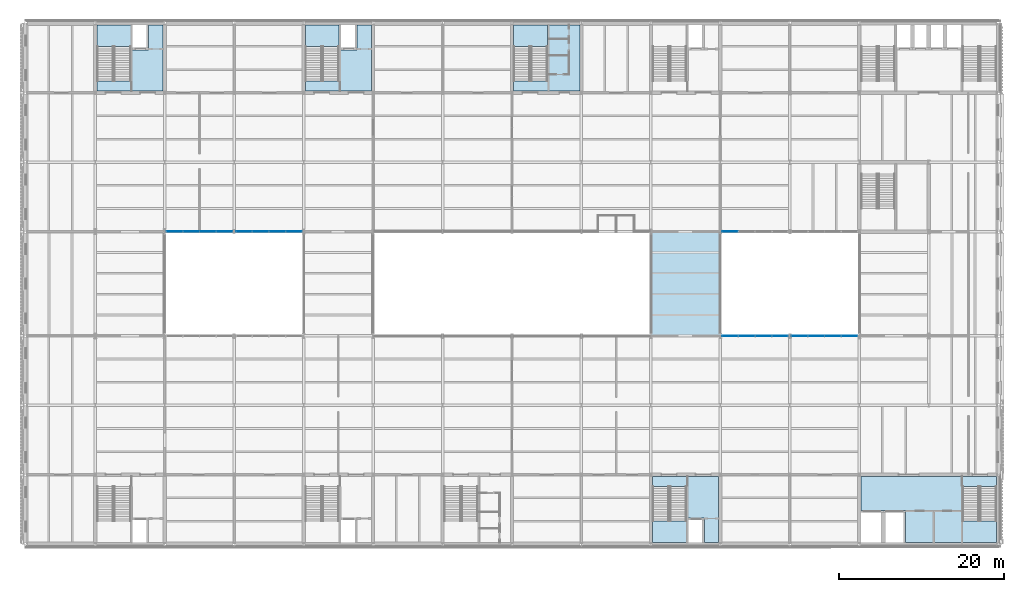
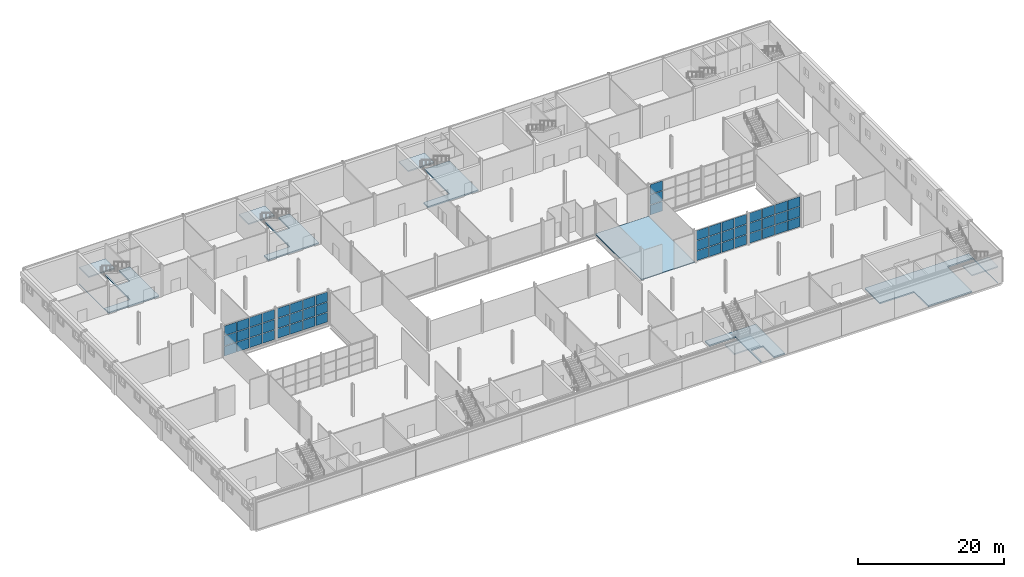
# One storey, part 26 of 57: 51 plates, 11 slabs, 10 elements without a shape of their own.
"""IFC4 building model written with IfcOpenShell, lengths in metres."""

from ifc_helpers import new_model, si_unit, direction, frame, origin, origin_2d, place, context, subcontext, project, spatial, polyline, rectangle, outline, extrude, material, layer, layer_set, type_object, element, aggregate, save


model = new_model("IFC4")

# Units and contexts
model_context = context("Model", 3, precision=1e-05, world=origin(), true_north=direction((0.0, 1.0)))
body_context = subcontext(model_context, "Body", "Model", "MODEL_VIEW")
ifc_project = project(units=[si_unit("LENGTHUNIT", "METRE"), si_unit("AREAUNIT", "SQUARE_METRE"), si_unit("VOLUMEUNIT", "CUBIC_METRE"), si_unit("PLANEANGLEUNIT", "RADIAN"), si_unit("MASSUNIT", "GRAM", prefix="KILO")], contexts=[model_context])

# Site, building, storey
site_placement = place(None, origin())
site = spatial("IfcSite", under=ifc_project, at=site_placement, CompositionType="ELEMENT")
building_placement = place(site_placement, origin())
building = spatial("IfcBuilding", under=site, at=building_placement, Name="Galleria Vessillo Department Store", CompositionType="ELEMENT")
storey_placement = place(building_placement, frame((0.0, 0.0, 25.800048828125)))
storey = spatial("IfcBuildingStorey", under=building, at=storey_placement, Name="L05", CompositionType="ELEMENT", Elevation=25.800048828125)

# Slab
ifc_material_1 = material(Name="Concrete C32/40 composite on steel deck", Category="concrete")
ifc_layer_1 = layer(ifc_material_1, 0.14990234375)
ifc_layer_set_1 = layer_set([ifc_layer_1], Name="Concrete C32/40 composite on steel deck")
slab_type_1 = type_object("IfcSlabType", Name="Composite bridge slab 150 mm", PredefinedType="FLOOR", material=ifc_layer_set_1)
slab_1_placement = place(storey_placement, frame((0.0, 0.0, -0.14990234375)))
element("IfcSlab", 1, at=slab_1_placement, inside=storey, type_object=slab_type_1, Name="S-SLAB-L05-BRIDGE-E", PredefinedType="FLOOR", context=body_context, shape_type="SweptSolid", body=[
    extrude(outline(polyline([(84.0, 25.199951171875), (84.0, 37.800048828125), (75.60009765625, 37.800048828125), (75.60009765625, 25.199951171875), (84.0, 25.199951171875)])), origin(), (0.0, 0.0, 1.0), 0.14990234375),
])

# Curtain wall, plates
ifc_material_2 = material(Name="Steel and fire-resisting glass curtain wall", Category="steel")
ifc_layer_2 = layer(ifc_material_2, 0.199951171875)
ifc_layer_set_2 = layer_set([ifc_layer_2], Name="Steel and fire-resisting glass curtain wall")
curtain_wall_type = type_object("IfcCurtainWallType", Name="Arcade fire-resisting glazed shopfront EI 120-Sa", PredefinedType="NOTDEFINED", material=ifc_layer_set_2)
curtain_wall_1_placement = place(storey_placement, origin())
curtain_wall_1 = element("IfcCurtainWall", 2, at=curtain_wall_1_placement, inside=storey, type_object=curtain_wall_type, Name="Arcade fire-resisting glazed shopfront EI 120-Sa AI-AE-S-L05-01", PredefinedType="NOTDEFINED")
ifc_material_3 = material(Name="Fire-resisting laminated glass EI 120", Category="glass")
ifc_layer_3 = layer(ifc_material_3, 0.052001953125)
ifc_layer_set_3 = layer_set([ifc_layer_3], Name="Fire-resisting laminated glass EI 120")
plate_type = type_object("IfcPlateType", Name="Fire-resisting glass panel 52 mm EI 120", PredefinedType="CURTAIN_PANEL", material=ifc_layer_set_3)
plate_1_placement = place(storey_placement, frame((85.189453125, 25.199951171875, 0.10009765625), z_axis=(0.0, 0.0, 1.0), x_axis=(1.0, 0.0, 0.0)))
plate_1 = element("IfcPlate", 3, at=plate_1_placement, type_object=plate_type, Name="CW7 panel 1.1", PredefinedType="CURTAIN_PANEL", context=body_context, shape_type="SweptSolid", body=[
    extrude(rectangle(XDim=1.87353515625, YDim=0.052001953125, at=origin_2d()), origin(), (0.0, 0.0, 1.0), 1.583251953125),
])
plate_2_placement = place(storey_placement, frame((85.189453125, 25.199951171875, 1.783447265625), z_axis=(0.0, 0.0, 1.0), x_axis=(1.0, 0.0, 0.0)))
plate_2 = element("IfcPlate", 4, at=plate_2_placement, type_object=plate_type, Name="CW7 panel 1.2", PredefinedType="CURTAIN_PANEL", context=body_context, shape_type="SweptSolid", body=[
    extrude(rectangle(XDim=1.87353515625, YDim=0.052001953125, at=origin_2d()), origin(), (0.0, 0.0, 1.0), 1.63330078125),
])
plate_3_placement = place(storey_placement, frame((85.189453125, 25.199951171875, 3.5166015625), z_axis=(0.0, 0.0, 1.0), x_axis=(1.0, 0.0, 0.0)))
plate_3 = element("IfcPlate", 5, at=plate_3_placement, type_object=plate_type, Name="CW7 panel 1.3", PredefinedType="CURTAIN_PANEL", context=body_context, shape_type="SweptSolid", body=[
    extrude(rectangle(XDim=1.87353515625, YDim=0.052001953125, at=origin_2d()), origin(), (0.0, 0.0, 1.0), 1.583251953125),
])
plate_4_placement = place(storey_placement, frame((87.18798828125, 25.199951171875, 0.10009765625), z_axis=(0.0, 0.0, 1.0), x_axis=(1.0, 0.0, 0.0)))
plate_4 = element("IfcPlate", 6, at=plate_4_placement, type_object=plate_type, Name="CW7 panel 2.1", PredefinedType="CURTAIN_PANEL", context=body_context, shape_type="SweptSolid", body=[
    extrude(rectangle(XDim=1.923583984375, YDim=0.052001953125, at=origin_2d()), origin(), (0.0, 0.0, 1.0), 1.583251953125),
])
plate_5_placement = place(storey_placement, frame((87.18798828125, 25.199951171875, 1.783447265625), z_axis=(0.0, 0.0, 1.0), x_axis=(1.0, 0.0, 0.0)))
plate_5 = element("IfcPlate", 7, at=plate_5_placement, type_object=plate_type, Name="CW7 panel 2.2", PredefinedType="CURTAIN_PANEL", context=body_context, shape_type="SweptSolid", body=[
    extrude(rectangle(XDim=1.923583984375, YDim=0.052001953125, at=origin_2d()), origin(), (0.0, 0.0, 1.0), 1.63330078125),
])
plate_6_placement = place(storey_placement, frame((87.18798828125, 25.199951171875, 3.5166015625), z_axis=(0.0, 0.0, 1.0), x_axis=(1.0, 0.0, 0.0)))
plate_6 = element("IfcPlate", 8, at=plate_6_placement, type_object=plate_type, Name="CW7 panel 2.3", PredefinedType="CURTAIN_PANEL", context=body_context, shape_type="SweptSolid", body=[
    extrude(rectangle(XDim=1.923583984375, YDim=0.052001953125, at=origin_2d()), origin(), (0.0, 0.0, 1.0), 1.583251953125),
])
plate_7_placement = place(storey_placement, frame((89.21142578125, 25.199951171875, 0.10009765625), z_axis=(0.0, 0.0, 1.0), x_axis=(1.0, 0.0, 0.0)))
plate_7 = element("IfcPlate", 9, at=plate_7_placement, type_object=plate_type, Name="CW7 panel 3.1", PredefinedType="CURTAIN_PANEL", context=body_context, shape_type="SweptSolid", body=[
    extrude(rectangle(XDim=1.923583984375, YDim=0.052001953125, at=origin_2d()), origin(), (0.0, 0.0, 1.0), 1.583251953125),
])
plate_8_placement = place(storey_placement, frame((89.21142578125, 25.199951171875, 1.783447265625), z_axis=(0.0, 0.0, 1.0), x_axis=(1.0, 0.0, 0.0)))
plate_8 = element("IfcPlate", 10, at=plate_8_placement, type_object=plate_type, Name="CW7 panel 3.2", PredefinedType="CURTAIN_PANEL", context=body_context, shape_type="SweptSolid", body=[
    extrude(rectangle(XDim=1.923583984375, YDim=0.052001953125, at=origin_2d()), origin(), (0.0, 0.0, 1.0), 1.63330078125),
])
plate_9_placement = place(storey_placement, frame((89.21142578125, 25.199951171875, 3.5166015625), z_axis=(0.0, 0.0, 1.0), x_axis=(1.0, 0.0, 0.0)))
plate_9 = element("IfcPlate", 11, at=plate_9_placement, type_object=plate_type, Name="CW7 panel 3.3", PredefinedType="CURTAIN_PANEL", context=body_context, shape_type="SweptSolid", body=[
    extrude(rectangle(XDim=1.923583984375, YDim=0.052001953125, at=origin_2d()), origin(), (0.0, 0.0, 1.0), 1.583251953125),
])
plate_10_placement = place(storey_placement, frame((91.2099609375, 25.199951171875, 0.10009765625), z_axis=(0.0, 0.0, 1.0), x_axis=(1.0, 0.0, 0.0)))
plate_10 = element("IfcPlate", 12, at=plate_10_placement, type_object=plate_type, Name="CW7 panel 4.1", PredefinedType="CURTAIN_PANEL", context=body_context, shape_type="SweptSolid", body=[
    extrude(rectangle(XDim=1.87353515625, YDim=0.052001953125, at=origin_2d()), origin(), (0.0, 0.0, 1.0), 1.583251953125),
])
plate_11_placement = place(storey_placement, frame((91.2099609375, 25.199951171875, 1.783447265625), z_axis=(0.0, 0.0, 1.0), x_axis=(1.0, 0.0, 0.0)))
plate_11 = element("IfcPlate", 13, at=plate_11_placement, type_object=plate_type, Name="CW7 panel 4.2", PredefinedType="CURTAIN_PANEL", context=body_context, shape_type="SweptSolid", body=[
    extrude(rectangle(XDim=1.87353515625, YDim=0.052001953125, at=origin_2d()), origin(), (0.0, 0.0, 1.0), 1.63330078125),
])
plate_12_placement = place(storey_placement, frame((91.2099609375, 25.199951171875, 3.5166015625), z_axis=(0.0, 0.0, 1.0), x_axis=(1.0, 0.0, 0.0)))
plate_12 = element("IfcPlate", 14, at=plate_12_placement, type_object=plate_type, Name="CW7 panel 4.3", PredefinedType="CURTAIN_PANEL", context=body_context, shape_type="SweptSolid", body=[
    extrude(rectangle(XDim=1.87353515625, YDim=0.052001953125, at=origin_2d()), origin(), (0.0, 0.0, 1.0), 1.583251953125),
])
aggregate(curtain_wall_1, [plate_1, plate_2, plate_3, plate_4, plate_5, plate_6, plate_7, plate_8, plate_9, plate_10, plate_11, plate_12])

curtain_wall_2_placement = place(storey_placement, origin())
curtain_wall_2 = element("IfcCurtainWall", 15, at=curtain_wall_2_placement, inside=storey, type_object=curtain_wall_type, Name="Arcade fire-resisting glazed shopfront EI 120-Sa AI-AE-S-L05-02", PredefinedType="NOTDEFINED")
plate_13_placement = place(storey_placement, frame((93.58984375, 25.199951171875, 0.10009765625), z_axis=(0.0, 0.0, 1.0), x_axis=(1.0, 0.0, 0.0)))
plate_13 = element("IfcPlate", 16, at=plate_13_placement, type_object=plate_type, Name="CW7 panel 1.1", PredefinedType="CURTAIN_PANEL", context=body_context, shape_type="SweptSolid", body=[
    extrude(rectangle(XDim=1.87353515625, YDim=0.052001953125, at=origin_2d()), origin(), (0.0, 0.0, 1.0), 1.583251953125),
])
plate_14_placement = place(storey_placement, frame((93.58984375, 25.199951171875, 1.783447265625), z_axis=(0.0, 0.0, 1.0), x_axis=(1.0, 0.0, 0.0)))
plate_14 = element("IfcPlate", 17, at=plate_14_placement, type_object=plate_type, Name="CW7 panel 1.2", PredefinedType="CURTAIN_PANEL", context=body_context, shape_type="SweptSolid", body=[
    extrude(rectangle(XDim=1.87353515625, YDim=0.052001953125, at=origin_2d()), origin(), (0.0, 0.0, 1.0), 1.63330078125),
])
plate_15_placement = place(storey_placement, frame((93.58984375, 25.199951171875, 3.5166015625), z_axis=(0.0, 0.0, 1.0), x_axis=(1.0, 0.0, 0.0)))
plate_15 = element("IfcPlate", 18, at=plate_15_placement, type_object=plate_type, Name="CW7 panel 1.3", PredefinedType="CURTAIN_PANEL", context=body_context, shape_type="SweptSolid", body=[
    extrude(rectangle(XDim=1.87353515625, YDim=0.052001953125, at=origin_2d()), origin(), (0.0, 0.0, 1.0), 1.583251953125),
])
plate_16_placement = place(storey_placement, frame((95.58837890625, 25.199951171875, 0.10009765625), z_axis=(0.0, 0.0, 1.0), x_axis=(1.0, 0.0, 0.0)))
plate_16 = element("IfcPlate", 19, at=plate_16_placement, type_object=plate_type, Name="CW7 panel 2.1", PredefinedType="CURTAIN_PANEL", context=body_context, shape_type="SweptSolid", body=[
    extrude(rectangle(XDim=1.923583984375, YDim=0.052001953125, at=origin_2d()), origin(), (0.0, 0.0, 1.0), 1.583251953125),
])
plate_17_placement = place(storey_placement, frame((95.58837890625, 25.199951171875, 1.783447265625), z_axis=(0.0, 0.0, 1.0), x_axis=(1.0, 0.0, 0.0)))
plate_17 = element("IfcPlate", 20, at=plate_17_placement, type_object=plate_type, Name="CW7 panel 2.2", PredefinedType="CURTAIN_PANEL", context=body_context, shape_type="SweptSolid", body=[
    extrude(rectangle(XDim=1.923583984375, YDim=0.052001953125, at=origin_2d()), origin(), (0.0, 0.0, 1.0), 1.63330078125),
])
plate_18_placement = place(storey_placement, frame((95.58837890625, 25.199951171875, 3.5166015625), z_axis=(0.0, 0.0, 1.0), x_axis=(1.0, 0.0, 0.0)))
plate_18 = element("IfcPlate", 21, at=plate_18_placement, type_object=plate_type, Name="CW7 panel 2.3", PredefinedType="CURTAIN_PANEL", context=body_context, shape_type="SweptSolid", body=[
    extrude(rectangle(XDim=1.923583984375, YDim=0.052001953125, at=origin_2d()), origin(), (0.0, 0.0, 1.0), 1.583251953125),
])
plate_19_placement = place(storey_placement, frame((97.612060546875, 25.199951171875, 0.10009765625), z_axis=(0.0, 0.0, 1.0), x_axis=(1.0, 0.0, 0.0)))
plate_19 = element("IfcPlate", 22, at=plate_19_placement, type_object=plate_type, Name="CW7 panel 3.1", PredefinedType="CURTAIN_PANEL", context=body_context, shape_type="SweptSolid", body=[
    extrude(rectangle(XDim=1.923583984375, YDim=0.052001953125, at=origin_2d()), origin(), (0.0, 0.0, 1.0), 1.583251953125),
])
plate_20_placement = place(storey_placement, frame((97.612060546875, 25.199951171875, 1.783447265625), z_axis=(0.0, 0.0, 1.0), x_axis=(1.0, 0.0, 0.0)))
plate_20 = element("IfcPlate", 23, at=plate_20_placement, type_object=plate_type, Name="CW7 panel 3.2", PredefinedType="CURTAIN_PANEL", context=body_context, shape_type="SweptSolid", body=[
    extrude(rectangle(XDim=1.923583984375, YDim=0.052001953125, at=origin_2d()), origin(), (0.0, 0.0, 1.0), 1.63330078125),
])
plate_21_placement = place(storey_placement, frame((97.612060546875, 25.199951171875, 3.5166015625), z_axis=(0.0, 0.0, 1.0), x_axis=(1.0, 0.0, 0.0)))
plate_21 = element("IfcPlate", 24, at=plate_21_placement, type_object=plate_type, Name="CW7 panel 3.3", PredefinedType="CURTAIN_PANEL", context=body_context, shape_type="SweptSolid", body=[
    extrude(rectangle(XDim=1.923583984375, YDim=0.052001953125, at=origin_2d()), origin(), (0.0, 0.0, 1.0), 1.583251953125),
])
plate_22_placement = place(storey_placement, frame((99.610595703125, 25.199951171875, 0.10009765625), z_axis=(0.0, 0.0, 1.0), x_axis=(1.0, 0.0, 0.0)))
plate_22 = element("IfcPlate", 25, at=plate_22_placement, type_object=plate_type, Name="CW7 panel 4.1", PredefinedType="CURTAIN_PANEL", context=body_context, shape_type="SweptSolid", body=[
    extrude(rectangle(XDim=1.87353515625, YDim=0.052001953125, at=origin_2d()), origin(), (0.0, 0.0, 1.0), 1.583251953125),
])
plate_23_placement = place(storey_placement, frame((99.610595703125, 25.199951171875, 1.783447265625), z_axis=(0.0, 0.0, 1.0), x_axis=(1.0, 0.0, 0.0)))
plate_23 = element("IfcPlate", 26, at=plate_23_placement, type_object=plate_type, Name="CW7 panel 4.2", PredefinedType="CURTAIN_PANEL", context=body_context, shape_type="SweptSolid", body=[
    extrude(rectangle(XDim=1.87353515625, YDim=0.052001953125, at=origin_2d()), origin(), (0.0, 0.0, 1.0), 1.63330078125),
])
plate_24_placement = place(storey_placement, frame((99.610595703125, 25.199951171875, 3.5166015625), z_axis=(0.0, 0.0, 1.0), x_axis=(1.0, 0.0, 0.0)))
plate_24 = element("IfcPlate", 27, at=plate_24_placement, type_object=plate_type, Name="CW7 panel 4.3", PredefinedType="CURTAIN_PANEL", context=body_context, shape_type="SweptSolid", body=[
    extrude(rectangle(XDim=1.87353515625, YDim=0.052001953125, at=origin_2d()), origin(), (0.0, 0.0, 1.0), 1.583251953125),
])
aggregate(curtain_wall_2, [plate_13, plate_14, plate_15, plate_16, plate_17, plate_18, plate_19, plate_20, plate_21, plate_22, plate_23, plate_24])

curtain_wall_3_placement = place(storey_placement, origin())
curtain_wall_3 = element("IfcCurtainWall", 28, at=curtain_wall_3_placement, inside=storey, type_object=curtain_wall_type, Name="Arcade fire-resisting glazed shopfront EI 120-Sa AI-AW-N-L05-01", PredefinedType="NOTDEFINED")
plate_25_placement = place(storey_placement, frame((17.989501953125, 37.800048828125, 0.10009765625), z_axis=(0.0, 0.0, 1.0), x_axis=(1.0, 0.0, 0.0)))
plate_25 = element("IfcPlate", 29, at=plate_25_placement, type_object=plate_type, Name="CW7 panel 1.1", PredefinedType="CURTAIN_PANEL", context=body_context, shape_type="SweptSolid", body=[
    extrude(rectangle(XDim=1.87353515625, YDim=0.052001953125, at=origin_2d()), origin(), (0.0, 0.0, 1.0), 1.583251953125),
])
plate_26_placement = place(storey_placement, frame((17.989501953125, 37.800048828125, 1.783447265625), z_axis=(0.0, 0.0, 1.0), x_axis=(1.0, 0.0, 0.0)))
plate_26 = element("IfcPlate", 30, at=plate_26_placement, type_object=plate_type, Name="CW7 panel 1.2", PredefinedType="CURTAIN_PANEL", context=body_context, shape_type="SweptSolid", body=[
    extrude(rectangle(XDim=1.87353515625, YDim=0.052001953125, at=origin_2d()), origin(), (0.0, 0.0, 1.0), 1.63330078125),
])
plate_27_placement = place(storey_placement, frame((17.989501953125, 37.800048828125, 3.5166015625), z_axis=(0.0, 0.0, 1.0), x_axis=(1.0, 0.0, 0.0)))
plate_27 = element("IfcPlate", 31, at=plate_27_placement, type_object=plate_type, Name="CW7 panel 1.3", PredefinedType="CURTAIN_PANEL", context=body_context, shape_type="SweptSolid", body=[
    extrude(rectangle(XDim=1.87353515625, YDim=0.052001953125, at=origin_2d()), origin(), (0.0, 0.0, 1.0), 1.583251953125),
])
plate_28_placement = place(storey_placement, frame((19.988037109375, 37.800048828125, 0.10009765625), z_axis=(0.0, 0.0, 1.0), x_axis=(1.0, 0.0, 0.0)))
plate_28 = element("IfcPlate", 32, at=plate_28_placement, type_object=plate_type, Name="CW7 panel 2.1", PredefinedType="CURTAIN_PANEL", context=body_context, shape_type="SweptSolid", body=[
    extrude(rectangle(XDim=1.923583984375, YDim=0.052001953125, at=origin_2d()), origin(), (0.0, 0.0, 1.0), 1.583251953125),
])
plate_29_placement = place(storey_placement, frame((19.988037109375, 37.800048828125, 1.783447265625), z_axis=(0.0, 0.0, 1.0), x_axis=(1.0, 0.0, 0.0)))
plate_29 = element("IfcPlate", 33, at=plate_29_placement, type_object=plate_type, Name="CW7 panel 2.2", PredefinedType="CURTAIN_PANEL", context=body_context, shape_type="SweptSolid", body=[
    extrude(rectangle(XDim=1.923583984375, YDim=0.052001953125, at=origin_2d()), origin(), (0.0, 0.0, 1.0), 1.63330078125),
])
plate_30_placement = place(storey_placement, frame((19.988037109375, 37.800048828125, 3.5166015625), z_axis=(0.0, 0.0, 1.0), x_axis=(1.0, 0.0, 0.0)))
plate_30 = element("IfcPlate", 34, at=plate_30_placement, type_object=plate_type, Name="CW7 panel 2.3", PredefinedType="CURTAIN_PANEL", context=body_context, shape_type="SweptSolid", body=[
    extrude(rectangle(XDim=1.923583984375, YDim=0.052001953125, at=origin_2d()), origin(), (0.0, 0.0, 1.0), 1.583251953125),
])
plate_31_placement = place(storey_placement, frame((22.011474609375, 37.800048828125, 0.10009765625), z_axis=(0.0, 0.0, 1.0), x_axis=(1.0, 0.0, 0.0)))
plate_31 = element("IfcPlate", 35, at=plate_31_placement, type_object=plate_type, Name="CW7 panel 3.1", PredefinedType="CURTAIN_PANEL", context=body_context, shape_type="SweptSolid", body=[
    extrude(rectangle(XDim=1.923583984375, YDim=0.052001953125, at=origin_2d()), origin(), (0.0, 0.0, 1.0), 1.583251953125),
])
plate_32_placement = place(storey_placement, frame((22.011474609375, 37.800048828125, 1.783447265625), z_axis=(0.0, 0.0, 1.0), x_axis=(1.0, 0.0, 0.0)))
plate_32 = element("IfcPlate", 36, at=plate_32_placement, type_object=plate_type, Name="CW7 panel 3.2", PredefinedType="CURTAIN_PANEL", context=body_context, shape_type="SweptSolid", body=[
    extrude(rectangle(XDim=1.923583984375, YDim=0.052001953125, at=origin_2d()), origin(), (0.0, 0.0, 1.0), 1.63330078125),
])
plate_33_placement = place(storey_placement, frame((22.011474609375, 37.800048828125, 3.5166015625), z_axis=(0.0, 0.0, 1.0), x_axis=(1.0, 0.0, 0.0)))
plate_33 = element("IfcPlate", 37, at=plate_33_placement, type_object=plate_type, Name="CW7 panel 3.3", PredefinedType="CURTAIN_PANEL", context=body_context, shape_type="SweptSolid", body=[
    extrude(rectangle(XDim=1.923583984375, YDim=0.052001953125, at=origin_2d()), origin(), (0.0, 0.0, 1.0), 1.583251953125),
])
plate_34_placement = place(storey_placement, frame((24.010009765625, 37.800048828125, 0.10009765625), z_axis=(0.0, 0.0, 1.0), x_axis=(1.0, 0.0, 0.0)))
plate_34 = element("IfcPlate", 38, at=plate_34_placement, type_object=plate_type, Name="CW7 panel 4.1", PredefinedType="CURTAIN_PANEL", context=body_context, shape_type="SweptSolid", body=[
    extrude(rectangle(XDim=1.87353515625, YDim=0.052001953125, at=origin_2d()), origin(), (0.0, 0.0, 1.0), 1.583251953125),
])
plate_35_placement = place(storey_placement, frame((24.010009765625, 37.800048828125, 1.783447265625), z_axis=(0.0, 0.0, 1.0), x_axis=(1.0, 0.0, 0.0)))
plate_35 = element("IfcPlate", 39, at=plate_35_placement, type_object=plate_type, Name="CW7 panel 4.2", PredefinedType="CURTAIN_PANEL", context=body_context, shape_type="SweptSolid", body=[
    extrude(rectangle(XDim=1.87353515625, YDim=0.052001953125, at=origin_2d()), origin(), (0.0, 0.0, 1.0), 1.63330078125),
])
plate_36_placement = place(storey_placement, frame((24.010009765625, 37.800048828125, 3.5166015625), z_axis=(0.0, 0.0, 1.0), x_axis=(1.0, 0.0, 0.0)))
plate_36 = element("IfcPlate", 40, at=plate_36_placement, type_object=plate_type, Name="CW7 panel 4.3", PredefinedType="CURTAIN_PANEL", context=body_context, shape_type="SweptSolid", body=[
    extrude(rectangle(XDim=1.87353515625, YDim=0.052001953125, at=origin_2d()), origin(), (0.0, 0.0, 1.0), 1.583251953125),
])
aggregate(curtain_wall_3, [plate_25, plate_26, plate_27, plate_28, plate_29, plate_30, plate_31, plate_32, plate_33, plate_34, plate_35, plate_36])

curtain_wall_4_placement = place(storey_placement, origin())
curtain_wall_4 = element("IfcCurtainWall", 41, at=curtain_wall_4_placement, inside=storey, type_object=curtain_wall_type, Name="Arcade fire-resisting glazed shopfront EI 120-Sa AI-AW-N-L05-02", PredefinedType="NOTDEFINED")
plate_37_placement = place(storey_placement, frame((26.389892578125, 37.800048828125, 0.10009765625), z_axis=(0.0, 0.0, 1.0), x_axis=(1.0, 0.0, 0.0)))
plate_37 = element("IfcPlate", 42, at=plate_37_placement, type_object=plate_type, Name="CW7 panel 1.1", PredefinedType="CURTAIN_PANEL", context=body_context, shape_type="SweptSolid", body=[
    extrude(rectangle(XDim=1.87353515625, YDim=0.052001953125, at=origin_2d()), origin(), (0.0, 0.0, 1.0), 1.583251953125),
])
plate_38_placement = place(storey_placement, frame((26.389892578125, 37.800048828125, 1.783447265625), z_axis=(0.0, 0.0, 1.0), x_axis=(1.0, 0.0, 0.0)))
plate_38 = element("IfcPlate", 43, at=plate_38_placement, type_object=plate_type, Name="CW7 panel 1.2", PredefinedType="CURTAIN_PANEL", context=body_context, shape_type="SweptSolid", body=[
    extrude(rectangle(XDim=1.87353515625, YDim=0.052001953125, at=origin_2d()), origin(), (0.0, 0.0, 1.0), 1.63330078125),
])
plate_39_placement = place(storey_placement, frame((26.389892578125, 37.800048828125, 3.5166015625), z_axis=(0.0, 0.0, 1.0), x_axis=(1.0, 0.0, 0.0)))
plate_39 = element("IfcPlate", 44, at=plate_39_placement, type_object=plate_type, Name="CW7 panel 1.3", PredefinedType="CURTAIN_PANEL", context=body_context, shape_type="SweptSolid", body=[
    extrude(rectangle(XDim=1.87353515625, YDim=0.052001953125, at=origin_2d()), origin(), (0.0, 0.0, 1.0), 1.583251953125),
])
plate_40_placement = place(storey_placement, frame((28.388427734375, 37.800048828125, 0.10009765625), z_axis=(0.0, 0.0, 1.0), x_axis=(1.0, 0.0, 0.0)))
plate_40 = element("IfcPlate", 45, at=plate_40_placement, type_object=plate_type, Name="CW7 panel 2.1", PredefinedType="CURTAIN_PANEL", context=body_context, shape_type="SweptSolid", body=[
    extrude(rectangle(XDim=1.923583984375, YDim=0.052001953125, at=origin_2d()), origin(), (0.0, 0.0, 1.0), 1.583251953125),
])
plate_41_placement = place(storey_placement, frame((28.388427734375, 37.800048828125, 1.783447265625), z_axis=(0.0, 0.0, 1.0), x_axis=(1.0, 0.0, 0.0)))
plate_41 = element("IfcPlate", 46, at=plate_41_placement, type_object=plate_type, Name="CW7 panel 2.2", PredefinedType="CURTAIN_PANEL", context=body_context, shape_type="SweptSolid", body=[
    extrude(rectangle(XDim=1.923583984375, YDim=0.052001953125, at=origin_2d()), origin(), (0.0, 0.0, 1.0), 1.63330078125),
])
plate_42_placement = place(storey_placement, frame((28.388427734375, 37.800048828125, 3.5166015625), z_axis=(0.0, 0.0, 1.0), x_axis=(1.0, 0.0, 0.0)))
plate_42 = element("IfcPlate", 47, at=plate_42_placement, type_object=plate_type, Name="CW7 panel 2.3", PredefinedType="CURTAIN_PANEL", context=body_context, shape_type="SweptSolid", body=[
    extrude(rectangle(XDim=1.923583984375, YDim=0.052001953125, at=origin_2d()), origin(), (0.0, 0.0, 1.0), 1.583251953125),
])
plate_43_placement = place(storey_placement, frame((30.412109375, 37.800048828125, 0.10009765625), z_axis=(0.0, 0.0, 1.0), x_axis=(1.0, 0.0, 0.0)))
plate_43 = element("IfcPlate", 48, at=plate_43_placement, type_object=plate_type, Name="CW7 panel 3.1", PredefinedType="CURTAIN_PANEL", context=body_context, shape_type="SweptSolid", body=[
    extrude(rectangle(XDim=1.923583984375, YDim=0.052001953125, at=origin_2d()), origin(), (0.0, 0.0, 1.0), 1.583251953125),
])
plate_44_placement = place(storey_placement, frame((30.412109375, 37.800048828125, 1.783447265625), z_axis=(0.0, 0.0, 1.0), x_axis=(1.0, 0.0, 0.0)))
plate_44 = element("IfcPlate", 49, at=plate_44_placement, type_object=plate_type, Name="CW7 panel 3.2", PredefinedType="CURTAIN_PANEL", context=body_context, shape_type="SweptSolid", body=[
    extrude(rectangle(XDim=1.923583984375, YDim=0.052001953125, at=origin_2d()), origin(), (0.0, 0.0, 1.0), 1.63330078125),
])
plate_45_placement = place(storey_placement, frame((30.412109375, 37.800048828125, 3.5166015625), z_axis=(0.0, 0.0, 1.0), x_axis=(1.0, 0.0, 0.0)))
plate_45 = element("IfcPlate", 50, at=plate_45_placement, type_object=plate_type, Name="CW7 panel 3.3", PredefinedType="CURTAIN_PANEL", context=body_context, shape_type="SweptSolid", body=[
    extrude(rectangle(XDim=1.923583984375, YDim=0.052001953125, at=origin_2d()), origin(), (0.0, 0.0, 1.0), 1.583251953125),
])
plate_46_placement = place(storey_placement, frame((32.41064453125, 37.800048828125, 0.10009765625), z_axis=(0.0, 0.0, 1.0), x_axis=(1.0, 0.0, 0.0)))
plate_46 = element("IfcPlate", 51, at=plate_46_placement, type_object=plate_type, Name="CW7 panel 4.1", PredefinedType="CURTAIN_PANEL", context=body_context, shape_type="SweptSolid", body=[
    extrude(rectangle(XDim=1.87353515625, YDim=0.052001953125, at=origin_2d()), origin(), (0.0, 0.0, 1.0), 1.583251953125),
])
plate_47_placement = place(storey_placement, frame((32.41064453125, 37.800048828125, 1.783447265625), z_axis=(0.0, 0.0, 1.0), x_axis=(1.0, 0.0, 0.0)))
plate_47 = element("IfcPlate", 52, at=plate_47_placement, type_object=plate_type, Name="CW7 panel 4.2", PredefinedType="CURTAIN_PANEL", context=body_context, shape_type="SweptSolid", body=[
    extrude(rectangle(XDim=1.87353515625, YDim=0.052001953125, at=origin_2d()), origin(), (0.0, 0.0, 1.0), 1.63330078125),
])
plate_48_placement = place(storey_placement, frame((32.41064453125, 37.800048828125, 3.5166015625), z_axis=(0.0, 0.0, 1.0), x_axis=(1.0, 0.0, 0.0)))
plate_48 = element("IfcPlate", 53, at=plate_48_placement, type_object=plate_type, Name="CW7 panel 4.3", PredefinedType="CURTAIN_PANEL", context=body_context, shape_type="SweptSolid", body=[
    extrude(rectangle(XDim=1.87353515625, YDim=0.052001953125, at=origin_2d()), origin(), (0.0, 0.0, 1.0), 1.583251953125),
])
aggregate(curtain_wall_4, [plate_37, plate_38, plate_39, plate_40, plate_41, plate_42, plate_43, plate_44, plate_45, plate_46, plate_47, plate_48])

curtain_wall_5_placement = place(storey_placement, origin())
curtain_wall_5 = element("IfcCurtainWall", 54, at=curtain_wall_5_placement, inside=storey, type_object=curtain_wall_type, Name="Arcade fire-resisting glazed shopfront EI 120-Sa AI-AE-N-L05-01", PredefinedType="NOTDEFINED")
plate_49_placement = place(storey_placement, frame((85.190185546875, 37.800048828125, 0.10009765625), z_axis=(0.0, 0.0, 1.0), x_axis=(1.0, 0.0, 0.0)))
plate_49 = element("IfcPlate", 55, at=plate_49_placement, type_object=plate_type, Name="CW7 panel 1.1", PredefinedType="CURTAIN_PANEL", context=body_context, shape_type="SweptSolid", body=[
    extrude(rectangle(XDim=1.873291015625, YDim=0.052001953125, at=origin_2d()), origin(), (0.0, 0.0, 1.0), 1.599853515625),
])
plate_50_placement = place(storey_placement, frame((85.190185546875, 37.800048828125, 1.800048828125), z_axis=(0.0, 0.0, 1.0), x_axis=(1.0, 0.0, 0.0)))
plate_50 = element("IfcPlate", 56, at=plate_50_placement, type_object=plate_type, Name="CW7 panel 1.2", PredefinedType="CURTAIN_PANEL", context=body_context, shape_type="SweptSolid", body=[
    extrude(rectangle(XDim=1.873291015625, YDim=0.052001953125, at=origin_2d()), origin(), (0.0, 0.0, 1.0), 1.64990234375),
])
plate_51_placement = place(storey_placement, frame((85.190185546875, 37.800048828125, 3.5498046875), z_axis=(0.0, 0.0, 1.0), x_axis=(1.0, 0.0, 0.0)))
plate_51 = element("IfcPlate", 57, at=plate_51_placement, type_object=plate_type, Name="CW7 panel 1.3", PredefinedType="CURTAIN_PANEL", context=body_context, shape_type="SweptSolid", body=[
    extrude(rectangle(XDim=1.873291015625, YDim=0.052001953125, at=origin_2d()), origin(), (0.0, 0.0, 1.0), 1.60009765625),
])
aggregate(curtain_wall_5, [plate_49, plate_50, plate_51])

# Slabs
ifc_material_4 = material(Name="Concrete C32/40 reinforced", Category="concrete")
ifc_layer_4 = layer(ifc_material_4, 0.219970703125)
ifc_layer_set_4 = layer_set([ifc_layer_4], Name="Concrete C32/40 reinforced")
slab_type_2 = type_object("IfcSlabType", Name="Reinforced concrete core floor slab 220 mm", PredefinedType="FLOOR", material=ifc_layer_set_4)
slab_2_placement = place(storey_placement, frame((0.0, 0.0, -0.219970703125)))
element("IfcSlab", 58, at=slab_2_placement, inside=storey, type_object=slab_type_2, Name="S-SLAB-L05-CORE-PC-NW", PredefinedType="FLOOR", context=body_context, shape_type="SweptSolid", body=[
    extrude(outline(polyline([(16.60009765625, 62.800048828125), (16.60009765625, 54.800048828125), (8.599853515625, 54.800048828125), (8.60009765625, 62.800048828125), (8.60009765625, 56.0), (12.699951171875, 56.0), (12.699951171875, 62.800048828125), (12.89990234375, 62.800048828125), (12.89990234375, 59.800048828125), (14.85009765625, 59.800048828125), (14.85009765625, 62.800048828125), (16.60009765625, 62.800048828125)])), origin(), (0.0, 0.0, 1.0), 0.219970703125),
])
slab_3_placement = place(storey_placement, frame((0.0, 0.0, -0.219970703125)))
element("IfcSlab", 59, at=slab_3_placement, inside=storey, type_object=slab_type_2, Name="S-SLAB-L05-CORE-PC-NM", PredefinedType="FLOOR", context=body_context, shape_type="SweptSolid", body=[
    extrude(outline(polyline([(41.800048828125, 62.800048828125), (41.800048828125, 54.800048828125), (33.800048828125, 54.800048828125), (33.800048828125, 56.0), (37.89990234375, 56.0), (37.89990234375, 62.800048828125), (38.10009765625, 62.800048828125), (38.10009765625, 59.800048828125), (40.050048828125, 59.800048828125), (40.050048828125, 62.800048828125), (41.800048828125, 62.800048828125)])), origin(), (0.0, 0.0, 1.0), 0.219970703125),
])
slab_4_placement = place(storey_placement, frame((0.0, 0.0, -0.219970703125)))
element("IfcSlab", 60, at=slab_4_placement, inside=storey, type_object=slab_type_2, Name="S-SLAB-L05-CORE-PC-SE", PredefinedType="FLOOR", context=body_context, shape_type="SweptSolid", body=[
    extrude(outline(polyline([(75.800048828125, 8.199951171875), (83.800048828125, 8.199951171875), (83.800048828125, 0.199951171875), (82.050048828125, 0.199951171875), (82.050048828125, 3.199951171875), (80.10009765625, 3.199951171875), (80.10009765625, 0.199951171875), (79.89990234375, 0.199951171875), (79.89990234375, 7.0), (75.800048828125, 7.0), (75.800048828125, 8.199951171875)])), origin(), (0.0, 0.0, 1.0), 0.219970703125),
])
slab_5_placement = place(storey_placement, frame((0.0, 0.0, -0.219970703125)))
element("IfcSlab", 61, at=slab_5_placement, inside=storey, type_object=slab_type_2, Name="S-SLAB-L05-CORE-PC-NC", PredefinedType="FLOOR", context=body_context, shape_type="SweptSolid", body=[
    extrude(outline(polyline([(67.0, 62.800048828125), (67.0, 54.800048828125), (59.0, 54.800048828125), (59.0, 56.0), (63.10009765625, 56.0), (63.10009765625, 62.800048828125), (67.0, 62.800048828125)])), origin(), (0.0, 0.0, 1.0), 0.219970703125),
])
slab_6_placement = place(storey_placement, frame((0.0, 0.0, -0.219970703125)))
element("IfcSlab", 62, at=slab_6_placement, inside=storey, type_object=slab_type_2, Name="S-SLAB-L05-CORE-GC", PredefinedType="FLOOR", context=body_context, shape_type="SweptSolid", body=[
    extrude(outline(polyline([(101.0, 8.199951171875), (117.400146484375, 8.199951171875), (117.39990234375, 0.199951171875), (117.39990234375, 7.0), (113.300048828125, 7.0), (113.300048828125, 0.199951171875), (106.39990234375, 0.199951171875), (106.39990234375, 4.10009765625), (101.0, 4.10009765625), (101.0, 8.199951171875)])), origin(), (0.0, 0.0, 1.0), 0.219970703125),
])

# Stair, slab
ifc_material_5 = material(Name="Concrete C32/40", Category="concrete")
stair_type = type_object("IfcStairType", Name="Half-turn escape stair 2000 mm, 32 risers of 169 mm", PredefinedType="HALF_TURN_STAIR", material=ifc_material_5)
stair_1_placement = place(storey_placement, origin())
stair_1 = element("IfcStair", 63, at=stair_1_placement, inside=storey, type_object=stair_type, Name="Stair ST2 L05", PredefinedType="HALF_TURN_STAIR")
ifc_material_6 = material(Name="Concrete C32/40", Category="concrete")
ifc_layer_5 = layer(ifc_material_6, 0.199951171875)
ifc_layer_set_5 = layer_set([ifc_layer_5], Name="Concrete C32/40")
slab_type_3 = type_object("IfcSlabType", Name="Stair half landing 4100 x 2600 mm", PredefinedType="LANDING", material=ifc_layer_set_5)
slab_7_placement = place(storey_placement, frame((0.0, 0.0, 2.5)))
slab_7 = element("IfcSlab", 64, at=slab_7_placement, type_object=slab_type_3, Name="ST2 landing 1", PredefinedType="LANDING", context=body_context, shape_type="SweptSolid", body=[
    extrude(outline(polyline([(8.599853515625, 60.199951171875), (8.599853515625, 62.800048828125), (12.699951171875, 62.800048828125), (12.699951171875, 60.199951171875), (8.599853515625, 60.199951171875)])), origin(), (0.0, 0.0, 1.0), 0.199951171875),
])
aggregate(stair_1, [slab_7])

stair_2_placement = place(storey_placement, origin())
stair_2 = element("IfcStair", 65, at=stair_2_placement, inside=storey, type_object=stair_type, Name="Stair ST4 L05", PredefinedType="HALF_TURN_STAIR")
slab_8_placement = place(storey_placement, frame((0.0, 0.0, 2.5)))
slab_8 = element("IfcSlab", 66, at=slab_8_placement, type_object=slab_type_3, Name="ST4 landing 1", PredefinedType="LANDING", context=body_context, shape_type="SweptSolid", body=[
    extrude(outline(polyline([(33.800048828125, 60.199951171875), (33.800048828125, 62.800048828125), (37.900146484375, 62.800048828125), (37.900146484375, 60.199951171875), (33.800048828125, 60.199951171875)])), origin(), (0.0, 0.0, 1.0), 0.199951171875),
])
aggregate(stair_2, [slab_8])

stair_3_placement = place(storey_placement, origin())
stair_3 = element("IfcStair", 67, at=stair_3_placement, inside=storey, type_object=stair_type, Name="Stair ST5 L05", PredefinedType="HALF_TURN_STAIR")
slab_9_placement = place(storey_placement, frame((0.0, 0.0, 2.5)))
slab_9 = element("IfcSlab", 68, at=slab_9_placement, type_object=slab_type_3, Name="ST5 landing 1", PredefinedType="LANDING", context=body_context, shape_type="SweptSolid", body=[
    extrude(outline(polyline([(75.800048828125, 0.199951171875), (75.800048828125, 2.800048828125), (79.900146484375, 2.800048828125), (79.900146484375, 0.199951171875), (75.800048828125, 0.199951171875)])), origin(), (0.0, 0.0, 1.0), 0.199951171875),
])
aggregate(stair_3, [slab_9])

stair_4_placement = place(storey_placement, origin())
stair_4 = element("IfcStair", 69, at=stair_4_placement, inside=storey, type_object=stair_type, Name="Stair ST11 L05", PredefinedType="HALF_TURN_STAIR")
slab_10_placement = place(storey_placement, frame((0.0, 0.0, 2.5)))
slab_10 = element("IfcSlab", 70, at=slab_10_placement, type_object=slab_type_3, Name="ST11 landing 1", PredefinedType="LANDING", context=body_context, shape_type="SweptSolid", body=[
    extrude(outline(polyline([(59.0, 60.199951171875), (59.0, 62.800048828125), (63.10009765625, 62.800048828125), (63.10009765625, 60.199951171875), (59.0, 60.199951171875)])), origin(), (0.0, 0.0, 1.0), 0.199951171875),
])
aggregate(stair_4, [slab_10])

stair_5_placement = place(storey_placement, origin())
stair_5 = element("IfcStair", 71, at=stair_5_placement, inside=storey, type_object=stair_type, Name="Stair ST7 L05", PredefinedType="HALF_TURN_STAIR")
slab_11_placement = place(storey_placement, frame((0.0, 0.0, 2.5)))
slab_11 = element("IfcSlab", 72, at=slab_11_placement, type_object=slab_type_3, Name="ST7 landing 1", PredefinedType="LANDING", context=body_context, shape_type="SweptSolid", body=[
    extrude(outline(polyline([(113.300048828125, 0.199951171875), (113.300048828125, 2.800048828125), (117.400146484375, 2.800048828125), (117.400146484375, 0.199951171875), (113.300048828125, 0.199951171875)])), origin(), (0.0, 0.0, 1.0), 0.199951171875),
])
aggregate(stair_5, [slab_11])

save(model, "model.ifc")
